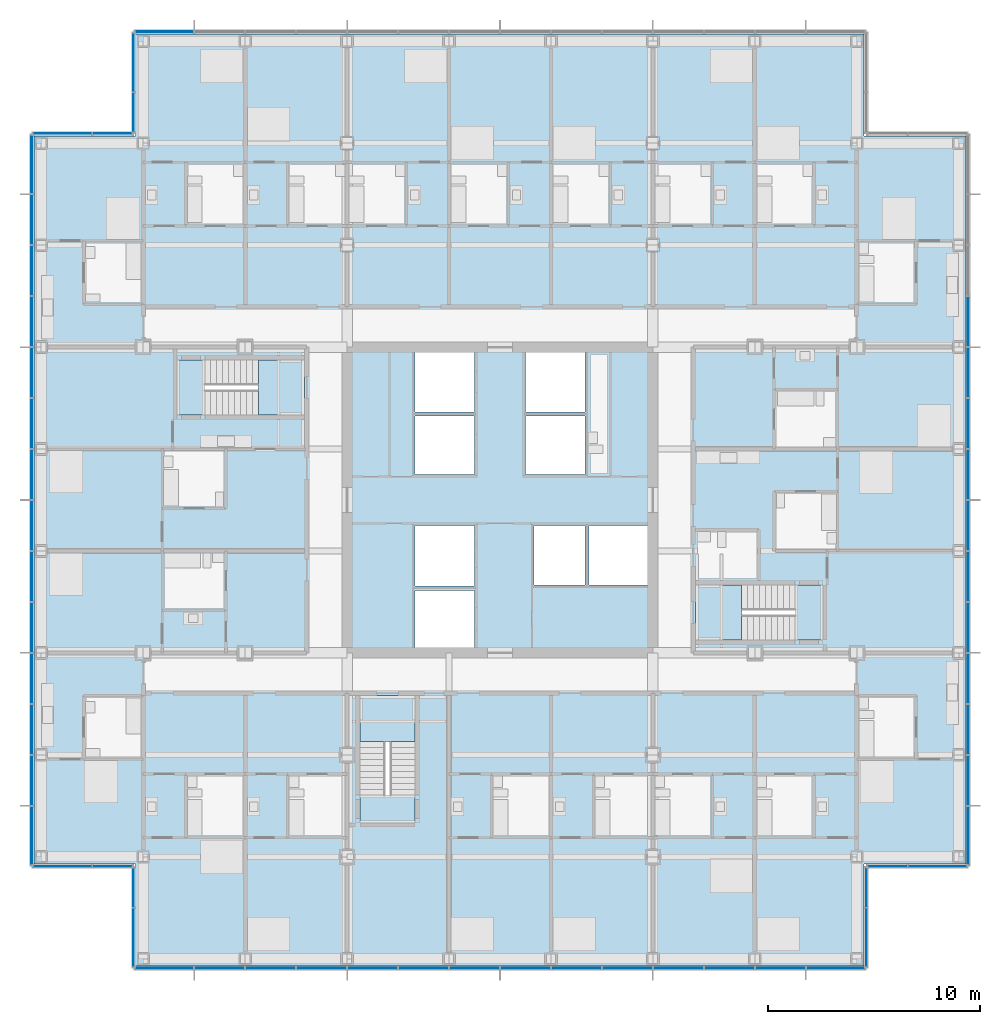
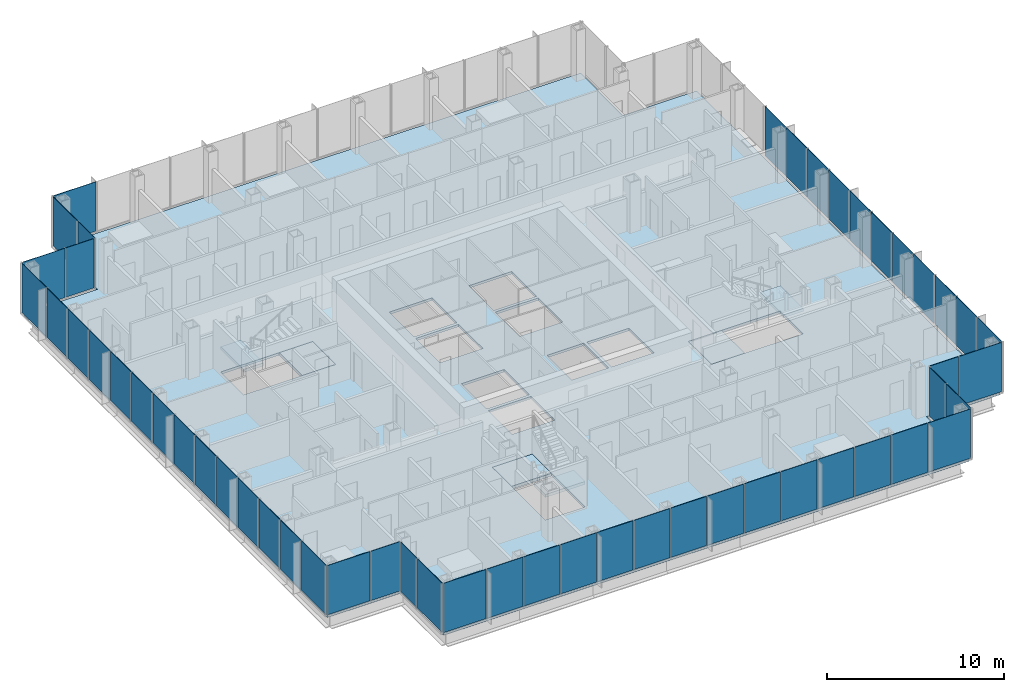
# One storey, part 12 of 22: 52 plates, 7 slabs, 13 elements without a shape of their own.
"""IFC4 building model written with IfcOpenShell, lengths in metres."""

from ifc_helpers import new_model, si_unit, direction, frame, origin, origin_2d, place, context, subcontext, project, spatial, polyline, rectangle, outline, extrude, material, layer, layer_set, type_object, element, aggregate, save


model = new_model("IFC4")

# Units and contexts
model_context = context("Model", 3, precision=1e-05, world=origin(), true_north=direction((0.0, 1.0)))
body_context = subcontext(model_context, "Body", "Model", "MODEL_VIEW")
ifc_project = project(units=[si_unit("LENGTHUNIT", "METRE"), si_unit("AREAUNIT", "SQUARE_METRE"), si_unit("VOLUMEUNIT", "CUBIC_METRE"), si_unit("PLANEANGLEUNIT", "RADIAN"), si_unit("MASSUNIT", "GRAM", prefix="KILO")], contexts=[model_context])

# Site, building, storey
site_placement = place(None, origin())
site = spatial("IfcSite", under=ifc_project, at=site_placement, CompositionType="ELEMENT")
building_placement = place(site_placement, origin())
building = spatial("IfcBuilding", under=site, at=building_placement, Name="Kvirike Care Tower", CompositionType="ELEMENT")
storey_placement = place(building_placement, frame((0.0, 0.0, 69.0)))
storey = spatial("IfcBuildingStorey", under=building, at=storey_placement, Name="L18", CompositionType="ELEMENT", Elevation=69.0)

# Slab
ifc_material_1 = material(Name="Concrete C35/45", Category="concrete")
ifc_layer_1 = layer(ifc_material_1, 0.169921875)
ifc_layer_set_1 = layer_set([ifc_layer_1], Name="FLOOR SLAB 170")
slab_type_1 = type_object("IfcSlabType", Name="FLOOR SLAB 170", PredefinedType="FLOOR", material=ifc_layer_set_1)
slab_1_placement = place(storey_placement, frame((0.0, 0.0, -0.169921875)))
element("IfcSlab", 1, at=slab_1_placement, inside=storey, type_object=slab_type_1, Name="Floor slab L18", PredefinedType="FLOOR", context=body_context, shape_type="SweptSolid", body=[
    extrude(outline(polyline([(-0.35009765625, 53.14990234375), (-0.35009765625, 18.85009765625), (4.449951171875, 18.85009765625), (4.449951171875, 14.050048828125), (38.75, 14.050048828125), (38.75, 18.85009765625), (43.550048828125, 18.85009765625), (43.550048828125, 53.14990234375), (38.75, 53.14990234375), (38.75, 57.949951171875), (4.449951171875, 57.949951171875), (4.449951171875, 53.14990234375), (-0.35009765625, 53.14990234375)]), holes=[polyline([(17.60009765625, 29.050048828125), (17.60009765625, 31.75), (20.39990234375, 31.75), (20.39990234375, 29.050048828125), (17.60009765625, 29.050048828125)]), polyline([(17.60009765625, 31.949951171875), (17.60009765625, 34.800048828125), (20.39990234375, 34.800048828125), (20.39990234375, 31.949951171875), (17.60009765625, 31.949951171875)]), polyline([(17.60009765625, 37.199951171875), (17.60009765625, 39.949951171875), (20.39990234375, 39.949951171875), (20.39990234375, 37.199951171875), (17.60009765625, 37.199951171875)]), polyline([(17.60009765625, 40.14990234375), (17.60009765625, 42.949951171875), (20.39990234375, 42.949951171875), (20.39990234375, 40.14990234375), (17.60009765625, 40.14990234375)]), polyline([(22.800048828125, 37.199951171875), (22.800048828125, 39.949951171875), (25.60009765625, 39.949951171875), (25.60009765625, 37.199951171875), (22.800048828125, 37.199951171875)]), polyline([(22.800048828125, 40.14990234375), (22.800048828125, 42.949951171875), (25.60009765625, 42.949951171875), (25.60009765625, 40.14990234375), (22.800048828125, 40.14990234375)]), polyline([(23.199951171875, 32.0), (23.199951171875, 34.800048828125), (25.60009765625, 34.800048828125), (25.60009765625, 32.0), (23.199951171875, 32.0)]), polyline([(25.800048828125, 32.0), (25.800048828125, 34.800048828125), (28.550048828125, 34.800048828125), (28.550048828125, 32.0), (25.800048828125, 32.0)]), polyline([(12.39990234375, 42.60009765625), (12.39990234375, 40.0), (6.39990234375, 40.0), (6.39990234375, 42.60009765625), (12.39990234375, 42.60009765625)]), polyline([(30.800048828125, 29.39990234375), (30.800048828125, 32.0), (36.800048828125, 32.0), (36.800048828125, 29.39990234375), (30.800048828125, 29.39990234375)]), polyline([(15.0, 26.800048828125), (17.60009765625, 26.800048828125), (17.60009765625, 20.800048828125), (15.0, 20.800048828125), (15.0, 26.800048828125)])]), origin(), (0.0, 0.0, 1.0), 0.169921875),
])

# Stair, slabs
ifc_material_2 = material(Name="Concrete C35/45", Category="concrete")
stair_type = type_object("IfcStairType", Name="STAIR 20 RISERS", PredefinedType="HALF_TURN_STAIR", material=ifc_material_2)
stair_1_placement = place(storey_placement, origin())
stair_1 = element("IfcStair", 2, at=stair_1_placement, inside=storey, type_object=stair_type, Name="Stair 1 L18", PredefinedType="HALF_TURN_STAIR")
ifc_material_3 = material(Name="Concrete C35/45", Category="concrete")
ifc_layer_2 = layer(ifc_material_3, 0.199951171875)
ifc_layer_set_2 = layer_set([ifc_layer_2], Name="STAIR LANDING 200")
slab_type_2 = type_object("IfcSlabType", Name="STAIR LANDING 200", PredefinedType="LANDING", material=ifc_layer_set_2)
slab_2_placement = place(storey_placement, frame((0.0, 0.0, -0.199951171875)))
slab_2 = element("IfcSlab", 3, at=slab_2_placement, type_object=slab_type_2, Name="Stair S1 floor landing L18", PredefinedType="LANDING", context=body_context, shape_type="SweptSolid", body=[
    extrude(outline(polyline([(10.219970703125, 42.60009765625), (10.219970703125, 40.0), (12.39990234375, 40.0), (12.39990234375, 42.60009765625), (10.219970703125, 42.60009765625)])), origin(), (0.0, 0.0, 1.0), 0.199951171875),
])
slab_3_placement = place(storey_placement, frame((0.0, 0.0, 1.550048828125)))
slab_3 = element("IfcSlab", 4, at=slab_3_placement, type_object=slab_type_2, Name="Stair S1 half landing L18-L19", PredefinedType="LANDING", context=body_context, shape_type="SweptSolid", body=[
    extrude(outline(polyline([(6.39990234375, 42.60009765625), (6.39990234375, 40.0), (7.699951171875, 40.0), (7.699951171875, 42.60009765625), (6.39990234375, 42.60009765625)])), origin(), (0.0, 0.0, 1.0), 0.199951171875),
])
aggregate(stair_1, [slab_2, slab_3])

stair_2_placement = place(storey_placement, origin())
stair_2 = element("IfcStair", 5, at=stair_2_placement, inside=storey, type_object=stair_type, Name="Stair 2 L18", PredefinedType="HALF_TURN_STAIR")
slab_4_placement = place(storey_placement, frame((0.0, 0.0, -0.199951171875)))
slab_4 = element("IfcSlab", 6, at=slab_4_placement, type_object=slab_type_2, Name="Stair S2 floor landing L18", PredefinedType="LANDING", context=body_context, shape_type="SweptSolid", body=[
    extrude(outline(polyline([(32.97998046875, 29.39990234375), (32.97998046875, 32.0), (30.800048828125, 32.0), (30.800048828125, 29.39990234375), (32.97998046875, 29.39990234375)])), origin(), (0.0, 0.0, 1.0), 0.199951171875),
])
slab_5_placement = place(storey_placement, frame((0.0, 0.0, 1.550048828125)))
slab_5 = element("IfcSlab", 7, at=slab_5_placement, type_object=slab_type_2, Name="Stair S2 half landing L18-L19", PredefinedType="LANDING", context=body_context, shape_type="SweptSolid", body=[
    extrude(outline(polyline([(36.800048828125, 29.39990234375), (36.800048828125, 32.0), (35.5, 32.0), (35.5, 29.39990234375), (36.800048828125, 29.39990234375)])), origin(), (0.0, 0.0, 1.0), 0.199951171875),
])
aggregate(stair_2, [slab_4, slab_5])

stair_3_placement = place(storey_placement, origin())
stair_3 = element("IfcStair", 8, at=stair_3_placement, inside=storey, type_object=stair_type, Name="Stair 5 L18", PredefinedType="HALF_TURN_STAIR")
slab_6_placement = place(storey_placement, frame((0.0, 0.0, -0.199951171875)))
slab_6 = element("IfcSlab", 9, at=slab_6_placement, type_object=slab_type_2, Name="Stair S5 floor landing L18", PredefinedType="LANDING", context=body_context, shape_type="SweptSolid", body=[
    extrude(outline(polyline([(15.0, 24.6201171875), (17.60009765625, 24.6201171875), (17.60009765625, 26.800048828125), (15.0, 26.800048828125), (15.0, 24.6201171875)])), origin(), (0.0, 0.0, 1.0), 0.199951171875),
])
slab_7_placement = place(storey_placement, frame((0.0, 0.0, 1.550048828125)))
slab_7 = element("IfcSlab", 10, at=slab_7_placement, type_object=slab_type_2, Name="Stair S5 half landing L18-L19", PredefinedType="LANDING", context=body_context, shape_type="SweptSolid", body=[
    extrude(outline(polyline([(15.0, 20.800048828125), (17.60009765625, 20.800048828125), (17.60009765625, 22.10009765625), (15.0, 22.10009765625), (15.0, 20.800048828125)])), origin(), (0.0, 0.0, 1.0), 0.199951171875),
])
aggregate(stair_3, [slab_6, slab_7])

# Curtain wall, plates
ifc_material_4 = material(Name="Anodised aluminium stick system", Category="aluminium")
curtain_wall_type = type_object("IfcCurtainWallType", Name="CW-A STICK CURTAIN WALL", PredefinedType="NOTDEFINED", material=ifc_material_4)
curtain_wall_1_placement = place(storey_placement, origin())
curtain_wall_1 = element("IfcCurtainWall", 11, at=curtain_wall_1_placement, inside=storey, type_object=curtain_wall_type, Name="Curtain wall L18 face 1", PredefinedType="NOTDEFINED")
ifc_material_5 = material(Name="Tinted double glazed unit", Category="glass")
ifc_layer_3 = layer(ifc_material_5, 0.031982421875)
ifc_layer_set_3 = layer_set([ifc_layer_3], Name="TINTED VISION PANEL 32")
plate_type = type_object("IfcPlateType", Name="TINTED VISION PANEL 32", PredefinedType="CURTAIN_PANEL", material=ifc_layer_set_3)
plate_1_placement = place(storey_placement, frame((-0.449951171875, 51.808837890625, 0.10009765625), z_axis=(0.0, 0.0, 1.0), x_axis=(0.0, -1.0, 0.0)))
plate_1 = element("IfcPlate", 12, at=plate_1_placement, type_object=plate_type, Name="CW-A panel L18 face 1.1", PredefinedType="CURTAIN_PANEL", context=body_context, shape_type="SweptSolid", body=[
    extrude(rectangle(XDim=2.75244140625, YDim=0.031982421875, at=origin_2d()), origin(), (0.0, 0.0, 1.0), 3.39990234375),
])
plate_2_placement = place(storey_placement, frame((-0.449951171875, 49.199951171875, 0.10009765625), z_axis=(0.0, 0.0, 1.0), x_axis=(0.0, -1.0, 0.0)))
plate_2 = element("IfcPlate", 13, at=plate_2_placement, type_object=plate_type, Name="CW-A panel L18 face 1.2", PredefinedType="CURTAIN_PANEL", context=body_context, shape_type="SweptSolid", body=[
    extrude(rectangle(XDim=2.3349609375, YDim=0.031982421875, at=origin_2d()), origin(), (0.0, 0.0, 1.0), 3.39990234375),
])
plate_3_placement = place(storey_placement, frame((-0.449951171875, 46.800048828125, 0.10009765625), z_axis=(0.0, 0.0, 1.0), x_axis=(0.0, -1.0, 0.0)))
plate_3 = element("IfcPlate", 14, at=plate_3_placement, type_object=plate_type, Name="CW-A panel L18 face 1.3", PredefinedType="CURTAIN_PANEL", context=body_context, shape_type="SweptSolid", body=[
    extrude(rectangle(XDim=2.3349609375, YDim=0.031982421875, at=origin_2d()), origin(), (0.0, 0.0, 1.0), 3.39990234375),
])
plate_4_placement = place(storey_placement, frame((-0.449951171875, 44.39990234375, 0.10009765625), z_axis=(0.0, 0.0, 1.0), x_axis=(0.0, -1.0, 0.0)))
plate_4 = element("IfcPlate", 15, at=plate_4_placement, type_object=plate_type, Name="CW-A panel L18 face 1.4", PredefinedType="CURTAIN_PANEL", context=body_context, shape_type="SweptSolid", body=[
    extrude(rectangle(XDim=2.3349609375, YDim=0.031982421875, at=origin_2d()), origin(), (0.0, 0.0, 1.0), 3.39990234375),
])
plate_5_placement = place(storey_placement, frame((-0.449951171875, 42.0, 0.10009765625), z_axis=(0.0, 0.0, 1.0), x_axis=(0.0, -1.0, 0.0)))
plate_5 = element("IfcPlate", 16, at=plate_5_placement, type_object=plate_type, Name="CW-A panel L18 face 1.5", PredefinedType="CURTAIN_PANEL", context=body_context, shape_type="SweptSolid", body=[
    extrude(rectangle(XDim=2.3349609375, YDim=0.031982421875, at=origin_2d()), origin(), (0.0, 0.0, 1.0), 3.39990234375),
])
plate_6_placement = place(storey_placement, frame((-0.449951171875, 39.60009765625, 0.10009765625), z_axis=(0.0, 0.0, 1.0), x_axis=(0.0, -1.0, 0.0)))
plate_6 = element("IfcPlate", 17, at=plate_6_placement, type_object=plate_type, Name="CW-A panel L18 face 1.6", PredefinedType="CURTAIN_PANEL", context=body_context, shape_type="SweptSolid", body=[
    extrude(rectangle(XDim=2.3349609375, YDim=0.031982421875, at=origin_2d()), origin(), (0.0, 0.0, 1.0), 3.39990234375),
])
plate_7_placement = place(storey_placement, frame((-0.449951171875, 37.199951171875, 0.10009765625), z_axis=(0.0, 0.0, 1.0), x_axis=(0.0, -1.0, 0.0)))
plate_7 = element("IfcPlate", 18, at=plate_7_placement, type_object=plate_type, Name="CW-A panel L18 face 1.7", PredefinedType="CURTAIN_PANEL", context=body_context, shape_type="SweptSolid", body=[
    extrude(rectangle(XDim=2.3349609375, YDim=0.031982421875, at=origin_2d()), origin(), (0.0, 0.0, 1.0), 3.39990234375),
])
plate_8_placement = place(storey_placement, frame((-0.449951171875, 34.800048828125, 0.10009765625), z_axis=(0.0, 0.0, 1.0), x_axis=(0.0, -1.0, 0.0)))
plate_8 = element("IfcPlate", 19, at=plate_8_placement, type_object=plate_type, Name="CW-A panel L18 face 1.8", PredefinedType="CURTAIN_PANEL", context=body_context, shape_type="SweptSolid", body=[
    extrude(rectangle(XDim=2.3349609375, YDim=0.031982421875, at=origin_2d()), origin(), (0.0, 0.0, 1.0), 3.39990234375),
])
plate_9_placement = place(storey_placement, frame((-0.449951171875, 32.39990234375, 0.10009765625), z_axis=(0.0, 0.0, 1.0), x_axis=(0.0, -1.0, 0.0)))
plate_9 = element("IfcPlate", 20, at=plate_9_placement, type_object=plate_type, Name="CW-A panel L18 face 1.9", PredefinedType="CURTAIN_PANEL", context=body_context, shape_type="SweptSolid", body=[
    extrude(rectangle(XDim=2.3349609375, YDim=0.031982421875, at=origin_2d()), origin(), (0.0, 0.0, 1.0), 3.39990234375),
])
plate_10_placement = place(storey_placement, frame((-0.449951171875, 30.0, 0.10009765625), z_axis=(0.0, 0.0, 1.0), x_axis=(0.0, -1.0, 0.0)))
plate_10 = element("IfcPlate", 21, at=plate_10_placement, type_object=plate_type, Name="CW-A panel L18 face 1.10", PredefinedType="CURTAIN_PANEL", context=body_context, shape_type="SweptSolid", body=[
    extrude(rectangle(XDim=2.3349609375, YDim=0.031982421875, at=origin_2d()), origin(), (0.0, 0.0, 1.0), 3.39990234375),
])
plate_11_placement = place(storey_placement, frame((-0.449951171875, 27.60009765625, 0.10009765625), z_axis=(0.0, 0.0, 1.0), x_axis=(0.0, -1.0, 0.0)))
plate_11 = element("IfcPlate", 22, at=plate_11_placement, type_object=plate_type, Name="CW-A panel L18 face 1.11", PredefinedType="CURTAIN_PANEL", context=body_context, shape_type="SweptSolid", body=[
    extrude(rectangle(XDim=2.3349609375, YDim=0.031982421875, at=origin_2d()), origin(), (0.0, 0.0, 1.0), 3.39990234375),
])
plate_12_placement = place(storey_placement, frame((-0.449951171875, 25.199951171875, 0.10009765625), z_axis=(0.0, 0.0, 1.0), x_axis=(0.0, -1.0, 0.0)))
plate_12 = element("IfcPlate", 23, at=plate_12_placement, type_object=plate_type, Name="CW-A panel L18 face 1.12", PredefinedType="CURTAIN_PANEL", context=body_context, shape_type="SweptSolid", body=[
    extrude(rectangle(XDim=2.3349609375, YDim=0.031982421875, at=origin_2d()), origin(), (0.0, 0.0, 1.0), 3.39990234375),
])
plate_13_placement = place(storey_placement, frame((-0.449951171875, 22.800048828125, 0.10009765625), z_axis=(0.0, 0.0, 1.0), x_axis=(0.0, -1.0, 0.0)))
plate_13 = element("IfcPlate", 24, at=plate_13_placement, type_object=plate_type, Name="CW-A panel L18 face 1.13", PredefinedType="CURTAIN_PANEL", context=body_context, shape_type="SweptSolid", body=[
    extrude(rectangle(XDim=2.3349609375, YDim=0.031982421875, at=origin_2d()), origin(), (0.0, 0.0, 1.0), 3.39990234375),
])
plate_14_placement = place(storey_placement, frame((-0.449951171875, 20.191162109375, 0.10009765625), z_axis=(0.0, 0.0, 1.0), x_axis=(0.0, -1.0, 0.0)))
plate_14 = element("IfcPlate", 25, at=plate_14_placement, type_object=plate_type, Name="CW-A panel L18 face 1.14", PredefinedType="CURTAIN_PANEL", context=body_context, shape_type="SweptSolid", body=[
    extrude(rectangle(XDim=2.75244140625, YDim=0.031982421875, at=origin_2d()), origin(), (0.0, 0.0, 1.0), 3.39990234375),
])
aggregate(curtain_wall_1, [plate_1, plate_2, plate_3, plate_4, plate_5, plate_6, plate_7, plate_8, plate_9, plate_10, plate_11, plate_12, plate_13, plate_14])

curtain_wall_2_placement = place(storey_placement, origin())
curtain_wall_2 = element("IfcCurtainWall", 26, at=curtain_wall_2_placement, inside=storey, type_object=curtain_wall_type, Name="Curtain wall L18 face 2", PredefinedType="NOTDEFINED")
plate_15_placement = place(storey_placement, frame((0.9912109375, 18.75, 0.10009765625), z_axis=(0.0, 0.0, 1.0), x_axis=(1.0, 0.0, 0.0)))
plate_15 = element("IfcPlate", 27, at=plate_15_placement, type_object=plate_type, Name="CW-A panel L18 face 2.1", PredefinedType="CURTAIN_PANEL", context=body_context, shape_type="SweptSolid", body=[
    extrude(rectangle(XDim=2.75244140625, YDim=0.031982421875, at=origin_2d()), origin(), (0.0, 0.0, 1.0), 3.39990234375),
])
plate_16_placement = place(storey_placement, frame((3.358642578125, 18.75, 0.10009765625), z_axis=(0.0, 0.0, 1.0), x_axis=(1.0, 0.0, 0.0)))
plate_16 = element("IfcPlate", 28, at=plate_16_placement, type_object=plate_type, Name="CW-A panel L18 face 2.2", PredefinedType="CURTAIN_PANEL", context=body_context, shape_type="SweptSolid", body=[
    extrude(rectangle(XDim=1.8525390625, YDim=0.031982421875, at=origin_2d()), origin(), (0.0, 0.0, 1.0), 3.39990234375),
])
aggregate(curtain_wall_2, [plate_15, plate_16])

curtain_wall_3_placement = place(storey_placement, origin())
curtain_wall_3 = element("IfcCurtainWall", 29, at=curtain_wall_3_placement, inside=storey, type_object=curtain_wall_type, Name="Curtain wall L18 face 3", PredefinedType="NOTDEFINED")
plate_17_placement = place(storey_placement, frame((4.35009765625, 17.7587890625, 0.10009765625), z_axis=(0.0, 0.0, 1.0), x_axis=(0.0, -1.0, 0.0)))
plate_17 = element("IfcPlate", 30, at=plate_17_placement, type_object=plate_type, Name="CW-A panel L18 face 3.1", PredefinedType="CURTAIN_PANEL", context=body_context, shape_type="SweptSolid", body=[
    extrude(rectangle(XDim=1.8525390625, YDim=0.031982421875, at=origin_2d()), origin(), (0.0, 0.0, 1.0), 3.39990234375),
])
plate_18_placement = place(storey_placement, frame((4.35009765625, 15.391357421875, 0.10009765625), z_axis=(0.0, 0.0, 1.0), x_axis=(0.0, -1.0, 0.0)))
plate_18 = element("IfcPlate", 31, at=plate_18_placement, type_object=plate_type, Name="CW-A panel L18 face 3.2", PredefinedType="CURTAIN_PANEL", context=body_context, shape_type="SweptSolid", body=[
    extrude(rectangle(XDim=2.75244140625, YDim=0.031982421875, at=origin_2d()), origin(), (0.0, 0.0, 1.0), 3.39990234375),
])
aggregate(curtain_wall_3, [plate_17, plate_18])

curtain_wall_4_placement = place(storey_placement, origin())
curtain_wall_4 = element("IfcCurtainWall", 32, at=curtain_wall_4_placement, inside=storey, type_object=curtain_wall_type, Name="Curtain wall L18 face 4", PredefinedType="NOTDEFINED")
plate_19_placement = place(storey_placement, frame((5.791259765625, 13.949951171875, 0.10009765625), z_axis=(0.0, 0.0, 1.0), x_axis=(1.0, 0.0, 0.0)))
plate_19 = element("IfcPlate", 33, at=plate_19_placement, type_object=plate_type, Name="CW-A panel L18 face 4.1", PredefinedType="CURTAIN_PANEL", context=body_context, shape_type="SweptSolid", body=[
    extrude(rectangle(XDim=2.75244140625, YDim=0.031982421875, at=origin_2d()), origin(), (0.0, 0.0, 1.0), 3.39990234375),
])
plate_20_placement = place(storey_placement, frame((8.39990234375, 13.949951171875, 0.10009765625), z_axis=(0.0, 0.0, 1.0), x_axis=(1.0, 0.0, 0.0)))
plate_20 = element("IfcPlate", 34, at=plate_20_placement, type_object=plate_type, Name="CW-A panel L18 face 4.2", PredefinedType="CURTAIN_PANEL", context=body_context, shape_type="SweptSolid", body=[
    extrude(rectangle(XDim=2.3349609375, YDim=0.031982421875, at=origin_2d()), origin(), (0.0, 0.0, 1.0), 3.39990234375),
])
plate_21_placement = place(storey_placement, frame((10.800048828125, 13.949951171875, 0.10009765625), z_axis=(0.0, 0.0, 1.0), x_axis=(1.0, 0.0, 0.0)))
plate_21 = element("IfcPlate", 35, at=plate_21_placement, type_object=plate_type, Name="CW-A panel L18 face 4.3", PredefinedType="CURTAIN_PANEL", context=body_context, shape_type="SweptSolid", body=[
    extrude(rectangle(XDim=2.3349609375, YDim=0.031982421875, at=origin_2d()), origin(), (0.0, 0.0, 1.0), 3.39990234375),
])
plate_22_placement = place(storey_placement, frame((13.199951171875, 13.949951171875, 0.10009765625), z_axis=(0.0, 0.0, 1.0), x_axis=(1.0, 0.0, 0.0)))
plate_22 = element("IfcPlate", 36, at=plate_22_placement, type_object=plate_type, Name="CW-A panel L18 face 4.4", PredefinedType="CURTAIN_PANEL", context=body_context, shape_type="SweptSolid", body=[
    extrude(rectangle(XDim=2.3349609375, YDim=0.031982421875, at=origin_2d()), origin(), (0.0, 0.0, 1.0), 3.39990234375),
])
plate_23_placement = place(storey_placement, frame((15.60009765625, 13.949951171875, 0.10009765625), z_axis=(0.0, 0.0, 1.0), x_axis=(1.0, 0.0, 0.0)))
plate_23 = element("IfcPlate", 37, at=plate_23_placement, type_object=plate_type, Name="CW-A panel L18 face 4.5", PredefinedType="CURTAIN_PANEL", context=body_context, shape_type="SweptSolid", body=[
    extrude(rectangle(XDim=2.3349609375, YDim=0.031982421875, at=origin_2d()), origin(), (0.0, 0.0, 1.0), 3.39990234375),
])
plate_24_placement = place(storey_placement, frame((18.0, 13.949951171875, 0.10009765625), z_axis=(0.0, 0.0, 1.0), x_axis=(1.0, 0.0, 0.0)))
plate_24 = element("IfcPlate", 38, at=plate_24_placement, type_object=plate_type, Name="CW-A panel L18 face 4.6", PredefinedType="CURTAIN_PANEL", context=body_context, shape_type="SweptSolid", body=[
    extrude(rectangle(XDim=2.3349609375, YDim=0.031982421875, at=origin_2d()), origin(), (0.0, 0.0, 1.0), 3.39990234375),
])
plate_25_placement = place(storey_placement, frame((20.39990234375, 13.949951171875, 0.10009765625), z_axis=(0.0, 0.0, 1.0), x_axis=(1.0, 0.0, 0.0)))
plate_25 = element("IfcPlate", 39, at=plate_25_placement, type_object=plate_type, Name="CW-A panel L18 face 4.7", PredefinedType="CURTAIN_PANEL", context=body_context, shape_type="SweptSolid", body=[
    extrude(rectangle(XDim=2.3349609375, YDim=0.031982421875, at=origin_2d()), origin(), (0.0, 0.0, 1.0), 3.39990234375),
])
plate_26_placement = place(storey_placement, frame((22.800048828125, 13.949951171875, 0.10009765625), z_axis=(0.0, 0.0, 1.0), x_axis=(1.0, 0.0, 0.0)))
plate_26 = element("IfcPlate", 40, at=plate_26_placement, type_object=plate_type, Name="CW-A panel L18 face 4.8", PredefinedType="CURTAIN_PANEL", context=body_context, shape_type="SweptSolid", body=[
    extrude(rectangle(XDim=2.3349609375, YDim=0.031982421875, at=origin_2d()), origin(), (0.0, 0.0, 1.0), 3.39990234375),
])
plate_27_placement = place(storey_placement, frame((25.199951171875, 13.949951171875, 0.10009765625), z_axis=(0.0, 0.0, 1.0), x_axis=(1.0, 0.0, 0.0)))
plate_27 = element("IfcPlate", 41, at=plate_27_placement, type_object=plate_type, Name="CW-A panel L18 face 4.9", PredefinedType="CURTAIN_PANEL", context=body_context, shape_type="SweptSolid", body=[
    extrude(rectangle(XDim=2.3349609375, YDim=0.031982421875, at=origin_2d()), origin(), (0.0, 0.0, 1.0), 3.39990234375),
])
plate_28_placement = place(storey_placement, frame((27.60009765625, 13.949951171875, 0.10009765625), z_axis=(0.0, 0.0, 1.0), x_axis=(1.0, 0.0, 0.0)))
plate_28 = element("IfcPlate", 42, at=plate_28_placement, type_object=plate_type, Name="CW-A panel L18 face 4.10", PredefinedType="CURTAIN_PANEL", context=body_context, shape_type="SweptSolid", body=[
    extrude(rectangle(XDim=2.3349609375, YDim=0.031982421875, at=origin_2d()), origin(), (0.0, 0.0, 1.0), 3.39990234375),
])
plate_29_placement = place(storey_placement, frame((30.0, 13.949951171875, 0.10009765625), z_axis=(0.0, 0.0, 1.0), x_axis=(1.0, 0.0, 0.0)))
plate_29 = element("IfcPlate", 43, at=plate_29_placement, type_object=plate_type, Name="CW-A panel L18 face 4.11", PredefinedType="CURTAIN_PANEL", context=body_context, shape_type="SweptSolid", body=[
    extrude(rectangle(XDim=2.3349609375, YDim=0.031982421875, at=origin_2d()), origin(), (0.0, 0.0, 1.0), 3.39990234375),
])
plate_30_placement = place(storey_placement, frame((32.39990234375, 13.949951171875, 0.10009765625), z_axis=(0.0, 0.0, 1.0), x_axis=(1.0, 0.0, 0.0)))
plate_30 = element("IfcPlate", 44, at=plate_30_placement, type_object=plate_type, Name="CW-A panel L18 face 4.12", PredefinedType="CURTAIN_PANEL", context=body_context, shape_type="SweptSolid", body=[
    extrude(rectangle(XDim=2.3349609375, YDim=0.031982421875, at=origin_2d()), origin(), (0.0, 0.0, 1.0), 3.39990234375),
])
plate_31_placement = place(storey_placement, frame((34.800048828125, 13.949951171875, 0.10009765625), z_axis=(0.0, 0.0, 1.0), x_axis=(1.0, 0.0, 0.0)))
plate_31 = element("IfcPlate", 45, at=plate_31_placement, type_object=plate_type, Name="CW-A panel L18 face 4.13", PredefinedType="CURTAIN_PANEL", context=body_context, shape_type="SweptSolid", body=[
    extrude(rectangle(XDim=2.3349609375, YDim=0.031982421875, at=origin_2d()), origin(), (0.0, 0.0, 1.0), 3.39990234375),
])
plate_32_placement = place(storey_placement, frame((37.40869140625, 13.949951171875, 0.10009765625), z_axis=(0.0, 0.0, 1.0), x_axis=(1.0, 0.0, 0.0)))
plate_32 = element("IfcPlate", 46, at=plate_32_placement, type_object=plate_type, Name="CW-A panel L18 face 4.14", PredefinedType="CURTAIN_PANEL", context=body_context, shape_type="SweptSolid", body=[
    extrude(rectangle(XDim=2.75244140625, YDim=0.031982421875, at=origin_2d()), origin(), (0.0, 0.0, 1.0), 3.39990234375),
])
aggregate(curtain_wall_4, [plate_19, plate_20, plate_21, plate_22, plate_23, plate_24, plate_25, plate_26, plate_27, plate_28, plate_29, plate_30, plate_31, plate_32])

curtain_wall_5_placement = place(storey_placement, origin())
curtain_wall_5 = element("IfcCurtainWall", 47, at=curtain_wall_5_placement, inside=storey, type_object=curtain_wall_type, Name="Curtain wall L18 face 5", PredefinedType="NOTDEFINED")
plate_33_placement = place(storey_placement, frame((38.85009765625, 15.391357421875, 0.10009765625), z_axis=(0.0, 0.0, 1.0), x_axis=(0.0, 1.0, 0.0)))
plate_33 = element("IfcPlate", 48, at=plate_33_placement, type_object=plate_type, Name="CW-A panel L18 face 5.1", PredefinedType="CURTAIN_PANEL", context=body_context, shape_type="SweptSolid", body=[
    extrude(rectangle(XDim=2.75244140625, YDim=0.031982421875, at=origin_2d()), origin(), (0.0, 0.0, 1.0), 3.39990234375),
])
plate_34_placement = place(storey_placement, frame((38.85009765625, 17.7587890625, 0.10009765625), z_axis=(0.0, 0.0, 1.0), x_axis=(0.0, 1.0, 0.0)))
plate_34 = element("IfcPlate", 49, at=plate_34_placement, type_object=plate_type, Name="CW-A panel L18 face 5.2", PredefinedType="CURTAIN_PANEL", context=body_context, shape_type="SweptSolid", body=[
    extrude(rectangle(XDim=1.8525390625, YDim=0.031982421875, at=origin_2d()), origin(), (0.0, 0.0, 1.0), 3.39990234375),
])
aggregate(curtain_wall_5, [plate_33, plate_34])

curtain_wall_6_placement = place(storey_placement, origin())
curtain_wall_6 = element("IfcCurtainWall", 50, at=curtain_wall_6_placement, inside=storey, type_object=curtain_wall_type, Name="Curtain wall L18 face 6", PredefinedType="NOTDEFINED")
plate_35_placement = place(storey_placement, frame((39.84130859375, 18.75, 0.10009765625), z_axis=(0.0, 0.0, 1.0), x_axis=(1.0, 0.0, 0.0)))
plate_35 = element("IfcPlate", 51, at=plate_35_placement, type_object=plate_type, Name="CW-A panel L18 face 6.1", PredefinedType="CURTAIN_PANEL", context=body_context, shape_type="SweptSolid", body=[
    extrude(rectangle(XDim=1.8525390625, YDim=0.031982421875, at=origin_2d()), origin(), (0.0, 0.0, 1.0), 3.39990234375),
])
plate_36_placement = place(storey_placement, frame((42.208740234375, 18.75, 0.10009765625), z_axis=(0.0, 0.0, 1.0), x_axis=(1.0, 0.0, 0.0)))
plate_36 = element("IfcPlate", 52, at=plate_36_placement, type_object=plate_type, Name="CW-A panel L18 face 6.2", PredefinedType="CURTAIN_PANEL", context=body_context, shape_type="SweptSolid", body=[
    extrude(rectangle(XDim=2.75244140625, YDim=0.031982421875, at=origin_2d()), origin(), (0.0, 0.0, 1.0), 3.39990234375),
])
aggregate(curtain_wall_6, [plate_35, plate_36])

curtain_wall_7_placement = place(storey_placement, origin())
curtain_wall_7 = element("IfcCurtainWall", 53, at=curtain_wall_7_placement, inside=storey, type_object=curtain_wall_type, Name="Curtain wall L18 face 7", PredefinedType="NOTDEFINED")
plate_37_placement = place(storey_placement, frame((43.64990234375, 20.191162109375, 0.10009765625), z_axis=(0.0, 0.0, 1.0), x_axis=(0.0, 1.0, 0.0)))
plate_37 = element("IfcPlate", 54, at=plate_37_placement, type_object=plate_type, Name="CW-A panel L18 face 7.1", PredefinedType="CURTAIN_PANEL", context=body_context, shape_type="SweptSolid", body=[
    extrude(rectangle(XDim=2.75244140625, YDim=0.031982421875, at=origin_2d()), origin(), (0.0, 0.0, 1.0), 3.39990234375),
])
plate_38_placement = place(storey_placement, frame((43.64990234375, 22.800048828125, 0.10009765625), z_axis=(0.0, 0.0, 1.0), x_axis=(0.0, 1.0, 0.0)))
plate_38 = element("IfcPlate", 55, at=plate_38_placement, type_object=plate_type, Name="CW-A panel L18 face 7.2", PredefinedType="CURTAIN_PANEL", context=body_context, shape_type="SweptSolid", body=[
    extrude(rectangle(XDim=2.3349609375, YDim=0.031982421875, at=origin_2d()), origin(), (0.0, 0.0, 1.0), 3.39990234375),
])
plate_39_placement = place(storey_placement, frame((43.64990234375, 25.199951171875, 0.10009765625), z_axis=(0.0, 0.0, 1.0), x_axis=(0.0, 1.0, 0.0)))
plate_39 = element("IfcPlate", 56, at=plate_39_placement, type_object=plate_type, Name="CW-A panel L18 face 7.3", PredefinedType="CURTAIN_PANEL", context=body_context, shape_type="SweptSolid", body=[
    extrude(rectangle(XDim=2.3349609375, YDim=0.031982421875, at=origin_2d()), origin(), (0.0, 0.0, 1.0), 3.39990234375),
])
plate_40_placement = place(storey_placement, frame((43.64990234375, 27.60009765625, 0.10009765625), z_axis=(0.0, 0.0, 1.0), x_axis=(0.0, 1.0, 0.0)))
plate_40 = element("IfcPlate", 57, at=plate_40_placement, type_object=plate_type, Name="CW-A panel L18 face 7.4", PredefinedType="CURTAIN_PANEL", context=body_context, shape_type="SweptSolid", body=[
    extrude(rectangle(XDim=2.3349609375, YDim=0.031982421875, at=origin_2d()), origin(), (0.0, 0.0, 1.0), 3.39990234375),
])
plate_41_placement = place(storey_placement, frame((43.64990234375, 30.0, 0.10009765625), z_axis=(0.0, 0.0, 1.0), x_axis=(0.0, 1.0, 0.0)))
plate_41 = element("IfcPlate", 58, at=plate_41_placement, type_object=plate_type, Name="CW-A panel L18 face 7.5", PredefinedType="CURTAIN_PANEL", context=body_context, shape_type="SweptSolid", body=[
    extrude(rectangle(XDim=2.3349609375, YDim=0.031982421875, at=origin_2d()), origin(), (0.0, 0.0, 1.0), 3.39990234375),
])
plate_42_placement = place(storey_placement, frame((43.64990234375, 32.39990234375, 0.10009765625), z_axis=(0.0, 0.0, 1.0), x_axis=(0.0, 1.0, 0.0)))
plate_42 = element("IfcPlate", 59, at=plate_42_placement, type_object=plate_type, Name="CW-A panel L18 face 7.6", PredefinedType="CURTAIN_PANEL", context=body_context, shape_type="SweptSolid", body=[
    extrude(rectangle(XDim=2.3349609375, YDim=0.031982421875, at=origin_2d()), origin(), (0.0, 0.0, 1.0), 3.39990234375),
])
plate_43_placement = place(storey_placement, frame((43.64990234375, 34.800048828125, 0.10009765625), z_axis=(0.0, 0.0, 1.0), x_axis=(0.0, 1.0, 0.0)))
plate_43 = element("IfcPlate", 60, at=plate_43_placement, type_object=plate_type, Name="CW-A panel L18 face 7.7", PredefinedType="CURTAIN_PANEL", context=body_context, shape_type="SweptSolid", body=[
    extrude(rectangle(XDim=2.3349609375, YDim=0.031982421875, at=origin_2d()), origin(), (0.0, 0.0, 1.0), 3.39990234375),
])
plate_44_placement = place(storey_placement, frame((43.64990234375, 37.199951171875, 0.10009765625), z_axis=(0.0, 0.0, 1.0), x_axis=(0.0, 1.0, 0.0)))
plate_44 = element("IfcPlate", 61, at=plate_44_placement, type_object=plate_type, Name="CW-A panel L18 face 7.8", PredefinedType="CURTAIN_PANEL", context=body_context, shape_type="SweptSolid", body=[
    extrude(rectangle(XDim=2.3349609375, YDim=0.031982421875, at=origin_2d()), origin(), (0.0, 0.0, 1.0), 3.39990234375),
])
plate_45_placement = place(storey_placement, frame((43.64990234375, 39.60009765625, 0.10009765625), z_axis=(0.0, 0.0, 1.0), x_axis=(0.0, 1.0, 0.0)))
plate_45 = element("IfcPlate", 62, at=plate_45_placement, type_object=plate_type, Name="CW-A panel L18 face 7.9", PredefinedType="CURTAIN_PANEL", context=body_context, shape_type="SweptSolid", body=[
    extrude(rectangle(XDim=2.3349609375, YDim=0.031982421875, at=origin_2d()), origin(), (0.0, 0.0, 1.0), 3.39990234375),
])
plate_46_placement = place(storey_placement, frame((43.64990234375, 42.0, 0.10009765625), z_axis=(0.0, 0.0, 1.0), x_axis=(0.0, 1.0, 0.0)))
plate_46 = element("IfcPlate", 63, at=plate_46_placement, type_object=plate_type, Name="CW-A panel L18 face 7.10", PredefinedType="CURTAIN_PANEL", context=body_context, shape_type="SweptSolid", body=[
    extrude(rectangle(XDim=2.3349609375, YDim=0.031982421875, at=origin_2d()), origin(), (0.0, 0.0, 1.0), 3.39990234375),
])
plate_47_placement = place(storey_placement, frame((43.64990234375, 44.39990234375, 0.10009765625), z_axis=(0.0, 0.0, 1.0), x_axis=(0.0, 1.0, 0.0)))
plate_47 = element("IfcPlate", 64, at=plate_47_placement, type_object=plate_type, Name="CW-A panel L18 face 7.11", PredefinedType="CURTAIN_PANEL", context=body_context, shape_type="SweptSolid", body=[
    extrude(rectangle(XDim=2.3349609375, YDim=0.031982421875, at=origin_2d()), origin(), (0.0, 0.0, 1.0), 3.39990234375),
])
aggregate(curtain_wall_7, [plate_37, plate_38, plate_39, plate_40, plate_41, plate_42, plate_43, plate_44, plate_45, plate_46, plate_47])

# Curtain wall, plate
curtain_wall_8_placement = place(storey_placement, origin())
curtain_wall_8 = element("IfcCurtainWall", 65, at=curtain_wall_8_placement, inside=storey, type_object=curtain_wall_type, Name="Curtain wall L18 face 10", PredefinedType="NOTDEFINED")
plate_48_placement = place(storey_placement, frame((5.791259765625, 58.050048828125, 0.10009765625), z_axis=(0.0, 0.0, 1.0), x_axis=(-1.0, 0.0, 0.0)))
plate_48 = element("IfcPlate", 66, at=plate_48_placement, type_object=plate_type, Name="CW-A panel L18 face 10.14", PredefinedType="CURTAIN_PANEL", context=body_context, shape_type="SweptSolid", body=[
    extrude(rectangle(XDim=2.75244140625, YDim=0.031982421875, at=origin_2d()), origin(), (0.0, 0.0, 1.0), 3.39990234375),
])
aggregate(curtain_wall_8, [plate_48])

# Curtain wall, plates
curtain_wall_9_placement = place(storey_placement, origin())
curtain_wall_9 = element("IfcCurtainWall", 67, at=curtain_wall_9_placement, inside=storey, type_object=curtain_wall_type, Name="Curtain wall L18 face 11", PredefinedType="NOTDEFINED")
plate_49_placement = place(storey_placement, frame((4.35009765625, 56.608642578125, 0.10009765625), z_axis=(0.0, 0.0, 1.0), x_axis=(0.0, -1.0, 0.0)))
plate_49 = element("IfcPlate", 68, at=plate_49_placement, type_object=plate_type, Name="CW-A panel L18 face 11.1", PredefinedType="CURTAIN_PANEL", context=body_context, shape_type="SweptSolid", body=[
    extrude(rectangle(XDim=2.75244140625, YDim=0.031982421875, at=origin_2d()), origin(), (0.0, 0.0, 1.0), 3.39990234375),
])
plate_50_placement = place(storey_placement, frame((4.35009765625, 54.2412109375, 0.10009765625), z_axis=(0.0, 0.0, 1.0), x_axis=(0.0, -1.0, 0.0)))
plate_50 = element("IfcPlate", 69, at=plate_50_placement, type_object=plate_type, Name="CW-A panel L18 face 11.2", PredefinedType="CURTAIN_PANEL", context=body_context, shape_type="SweptSolid", body=[
    extrude(rectangle(XDim=1.8525390625, YDim=0.031982421875, at=origin_2d()), origin(), (0.0, 0.0, 1.0), 3.39990234375),
])
aggregate(curtain_wall_9, [plate_49, plate_50])

curtain_wall_10_placement = place(storey_placement, origin())
curtain_wall_10 = element("IfcCurtainWall", 70, at=curtain_wall_10_placement, inside=storey, type_object=curtain_wall_type, Name="Curtain wall L18 face 12", PredefinedType="NOTDEFINED")
plate_51_placement = place(storey_placement, frame((3.358642578125, 53.25, 0.10009765625), z_axis=(0.0, 0.0, 1.0), x_axis=(-1.0, 0.0, 0.0)))
plate_51 = element("IfcPlate", 71, at=plate_51_placement, type_object=plate_type, Name="CW-A panel L18 face 12.1", PredefinedType="CURTAIN_PANEL", context=body_context, shape_type="SweptSolid", body=[
    extrude(rectangle(XDim=1.8525390625, YDim=0.031982421875, at=origin_2d()), origin(), (0.0, 0.0, 1.0), 3.39990234375),
])
plate_52_placement = place(storey_placement, frame((0.9912109375, 53.25, 0.10009765625), z_axis=(0.0, 0.0, 1.0), x_axis=(-1.0, 0.0, 0.0)))
plate_52 = element("IfcPlate", 72, at=plate_52_placement, type_object=plate_type, Name="CW-A panel L18 face 12.2", PredefinedType="CURTAIN_PANEL", context=body_context, shape_type="SweptSolid", body=[
    extrude(rectangle(XDim=2.75244140625, YDim=0.031982421875, at=origin_2d()), origin(), (0.0, 0.0, 1.0), 3.39990234375),
])
aggregate(curtain_wall_10, [plate_51, plate_52])

save(model, "model.ifc")
